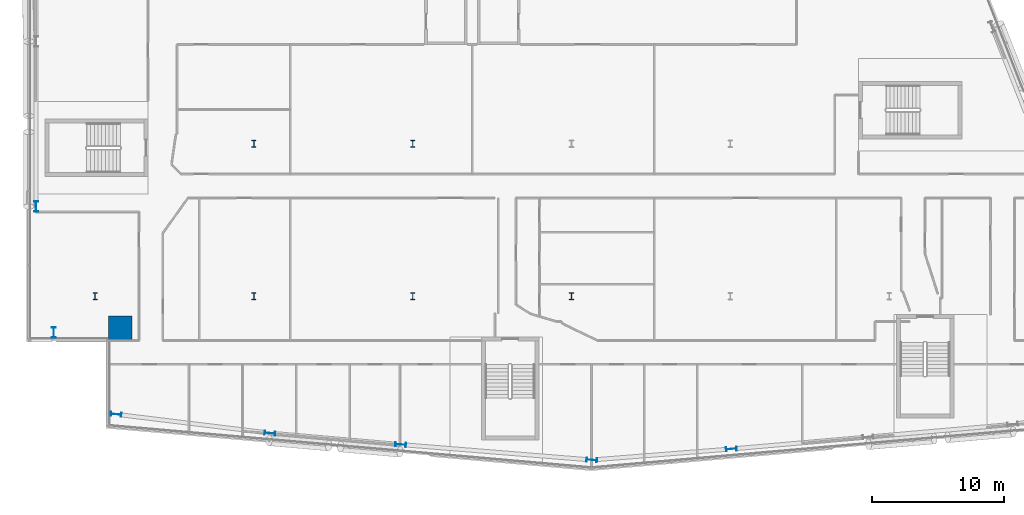
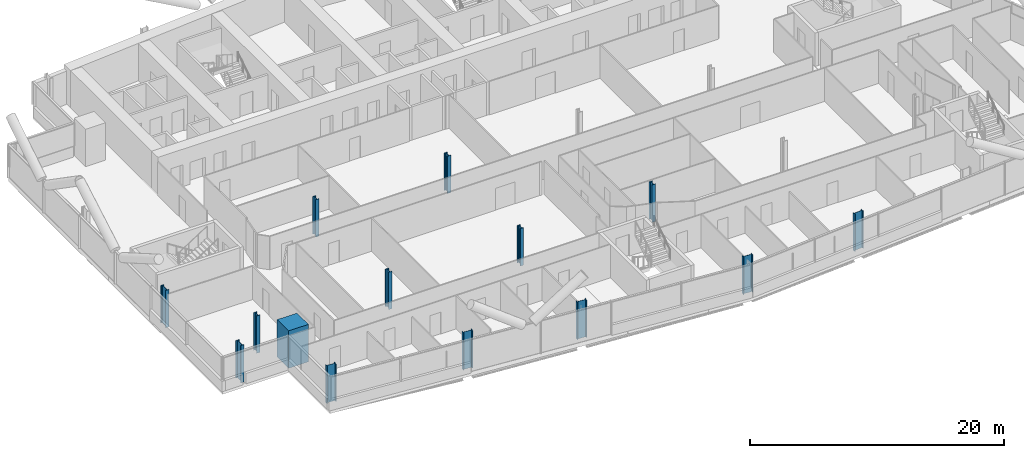
# One storey, part 1 of 28: 14 columns.
"""IFC4 building model written with IfcOpenShell, lengths in metres."""

from ifc_helpers import new_model, si_unit, direction, frame, origin, origin_2d, place, context, subcontext, project, spatial, rectangle, i_section, extrude, material, material_profile, profile_set, type_object, element, save


model = new_model("IFC4")

# Units and contexts
model_context = context("Model", 3, precision=1e-05, world=origin(), true_north=direction((0.0, 1.0)))
body_context = subcontext(model_context, "Body", "Model", "MODEL_VIEW")
ifc_project = project(units=[si_unit("LENGTHUNIT", "METRE"), si_unit("AREAUNIT", "SQUARE_METRE"), si_unit("VOLUMEUNIT", "CUBIC_METRE"), si_unit("PLANEANGLEUNIT", "RADIAN"), si_unit("MASSUNIT", "GRAM", prefix="KILO")], contexts=[model_context])

# Site, building, storey
site_placement = place(None, origin())
site = spatial("IfcSite", under=ifc_project, at=site_placement, CompositionType="ELEMENT")
building_placement = place(site_placement, origin())
building = spatial("IfcBuilding", under=site, at=building_placement, Name="Wharfspan Tower", CompositionType="ELEMENT")
storey_placement = place(building_placement, frame((0.0, 0.0, 132.699951)))
storey = spatial("IfcBuildingStorey", under=building, at=storey_placement, Name="L31", CompositionType="ELEMENT", Elevation=132.699951)

# Columns
ifc_material_1 = material(Name="Steel S355J2", Category="steel")
ifc_material_profile_1 = material_profile(ifc_material_1, i_section(OverallWidth=0.305908, OverallDepth=0.523926, WebThickness=0.020996, FlangeThickness=0.040039, FilletRadius=0.0271, at=origin_2d()))
ifc_profile_set_1 = profile_set([ifc_material_profile_1], Name="Steel S355J2")
column_type_1 = type_object("IfcColumnType", Name="Column HEM 500", PredefinedType="COLUMN", material=ifc_profile_set_1)
for number, where, z_axis, x_axis, name in (
    (1, (12.0, 11.5, 0.0), (0.0, 0.0, 1.0), (1.0, 0.0, 0.0), "Interior column I.1.1 L31"),
    (2, (24.0, 11.5, 0.0), (0.0, 0.0, 1.0), (1.0, 0.0, 0.0), "Interior column I.1.2 L31"),
    (3, (36.0, 11.5, 0.0), (0.0, 0.0, 1.0), (1.0, 0.0, 0.0), "Interior column I.1.3 L31"),
    (4, (48.0, 11.5, 0.0), (0.0, 0.0, 1.0), (1.0, 0.0, 0.0), "Interior column I.1.4 L31"),
    (5, (24.0, 23.0, 0.0), (0.0, 0.0, 1.0), (1.0, 0.0, 0.0), "Interior column I.2.1 L31"),
    (6, (36.0, 23.0, 0.0), (0.0, 0.0, 1.0), (1.0, 0.0, 0.0), "Interior column I.2.2 L31"),
):
    element("IfcColumn", number, at=place(storey_placement, frame(where, z_axis=z_axis, x_axis=x_axis)), inside=storey, type_object=column_type_1, Name=name, PredefinedType="COLUMN", context=body_context, shape_type="SweptSolid", body=[
        extrude(i_section(OverallWidth=0.305908, OverallDepth=0.523926, WebThickness=0.020996, FlangeThickness=0.040039, FilletRadius=0.0271, at=origin_2d()), origin(), (0.0, 0.0, 1.0), 3.600098),
    ])
ifc_material_profile_2 = material_profile(ifc_material_1, i_section(OverallWidth=0.302979, OverallDepth=0.813965, WebThickness=0.020996, FlangeThickness=0.040039, FilletRadius=0.030029, at=origin_2d()))
ifc_profile_set_2 = profile_set([ifc_material_profile_2], Name="Steel S355J2")
column_type_2 = type_object("IfcColumnType", Name="Column HEM 800", PredefinedType="COLUMN", material=ifc_profile_set_2)
for number, where, z_axis, x_axis, name in (
    (7, (13.590576, 2.569336, 0.0), (0.0, 0.0, 1.0), (-0.087156, -0.996198, 0.0), "Perimeter column PS1.1 L31"),
    (8, (25.213623, 1.148682, 0.0), (0.0, 0.0, 1.0), (-0.087156, -0.996198, 0.0), "Perimeter column PS1.2 L31"),
    (9, (35.089111, 0.284668, 0.0), (0.0, 0.0, 1.0), (-0.087156, -0.996198, 0.0), "Perimeter column PS1.3 L31"),
    (10, (49.53125, -0.881592, 0.0), (0.0, 0.0, 1.0), (-0.087156, -0.996198, 0.0), "Perimeter column PS1.4 L31"),
    (11, (60.077881, -0.050781, 0.0), (0.0, 0.0, 1.0), (0.087156, -0.996198, 0.0), "Perimeter column PS2.1 L31"),
    (12, (7.540039, 18.266602, 0.0), (0.0, 0.0, 1.0), (-1.0, 0.0, 0.0), "Perimeter column PW.2 L31"),
    (13, (8.884521, 8.742676, 0.0), (0.0, 0.0, 1.0), (-1.0, 0.0, 0.0), "Perimeter column PW.3 L31"),
):
    element("IfcColumn", number, at=place(storey_placement, frame(where, z_axis=z_axis, x_axis=x_axis)), inside=storey, type_object=column_type_2, Name=name, PredefinedType="COLUMN", context=body_context, shape_type="SweptSolid", body=[
        extrude(i_section(OverallWidth=0.302979, OverallDepth=0.813965, WebThickness=0.020996, FlangeThickness=0.040039, FilletRadius=0.030029, at=origin_2d()), origin(), (0.0, 0.0, 1.0), 3.600098),
    ])
ifc_material_2 = material(Name="Concrete C70/85", Category="concrete")
ifc_material_profile_3 = material_profile(ifc_material_2, rectangle(XDim=1.800049, YDim=1.800049, at=origin_2d()))
ifc_profile_set_3 = profile_set([ifc_material_profile_3], Name="Concrete C70/85")
column_type_3 = type_object("IfcColumnType", Name="Mega column 1800 C70/85", PredefinedType="COLUMN", material=ifc_profile_set_3)
column_placement = place(storey_placement, frame((13.899902, 9.100098, 0.0), z_axis=(0.0, 0.0, 1.0), x_axis=(1.0, 0.0, 0.0)))
element("IfcColumn", 14, at=column_placement, inside=storey, type_object=column_type_3, Name="Mega column MC1 L31", PredefinedType="COLUMN", context=body_context, shape_type="SweptSolid", body=[
    extrude(rectangle(XDim=1.800049, YDim=1.800049, at=origin_2d()), origin(), (0.0, 0.0, 1.0), 3.600098),
])

save(model, "model.ifc")
